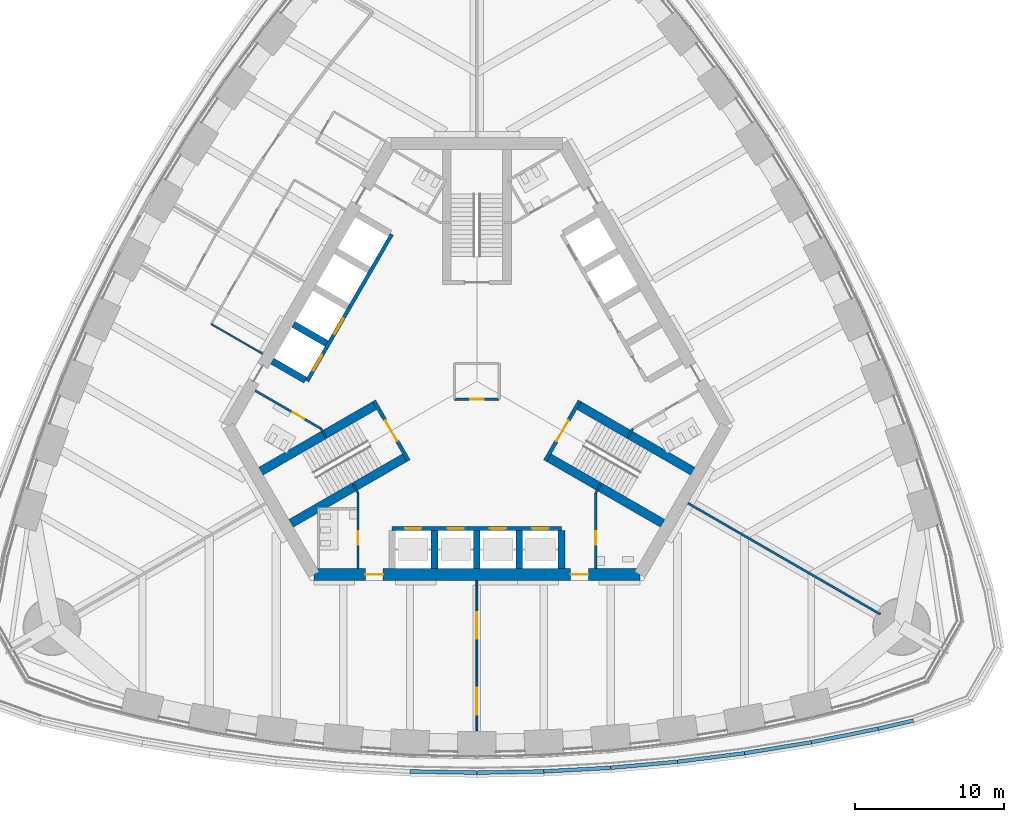
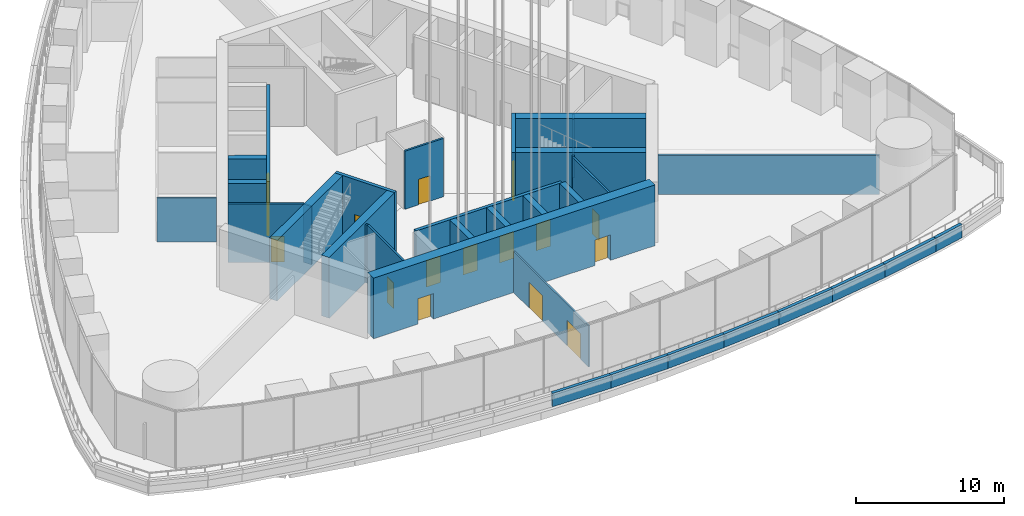
# One storey, part 13 of 31: 34 walls, 16 doors, 16 openings.
"""IFC4 building model written with IfcOpenShell, lengths in metres."""

from ifc_helpers import new_model, si_unit, direction, frame, frame_2d, origin, place, context, subcontext, project, spatial, rectangle, extrude, material, layer, layer_set, type_object, element, fill, save


model = new_model("IFC4")

# Units and contexts
model_context = context("Model", 3, precision=1e-05, world=origin(), true_north=direction((0.0, 1.0)))
body_context = subcontext(model_context, "Body", "Model", "MODEL_VIEW")
ifc_project = project(units=[si_unit("LENGTHUNIT", "METRE"), si_unit("AREAUNIT", "SQUARE_METRE"), si_unit("VOLUMEUNIT", "CUBIC_METRE"), si_unit("PLANEANGLEUNIT", "RADIAN"), si_unit("MASSUNIT", "GRAM", prefix="KILO")], contexts=[model_context])

# Site, building, storey
site_placement = place(None, origin())
site = spatial("IfcSite", under=ifc_project, at=site_placement, CompositionType="ELEMENT")
building_placement = place(site_placement, origin())
building = spatial("IfcBuilding", under=site, at=building_placement, Name="Trefoil Bronze Tower", CompositionType="ELEMENT")
storey_placement = place(building_placement, frame((0.0, 0.0, 184.699951171875)))
storey = spatial("IfcBuildingStorey", under=building, at=storey_placement, Name="L42", CompositionType="ELEMENT", Elevation=184.699951171875)

# Wall, openings, doors
ifc_material_1 = material(Name="Concrete B80", Category="concrete")
ifc_layer_1 = layer(ifc_material_1, 0.800048828125)
ifc_layer_set_1 = layer_set([ifc_layer_1], Name="Core wall 800")
wall_type_1 = type_object("IfcWallType", Name="Core wall 800", PredefinedType="SHEAR", material=ifc_layer_set_1)
wall_1_placement = place(storey_placement, frame((-10.9697265625, -13.0, 0.0), z_axis=(0.0, 0.0, 1.0), x_axis=(1.0, 0.0, 0.0)))
wall_1 = element("IfcWall", 1, at=wall_1_placement, inside=storey, type_object=wall_type_1, Name="Core long wall 1 L42", PredefinedType="SHEAR", context=body_context, shape_type="SweptSolid", body=[
    extrude(rectangle(XDim=21.939453125, YDim=0.800048828125, at=frame_2d((10.9697265625, 0.0))), origin(), (0.0, 0.0, 1.0), 5.0),
])
opening_1_placement = place(wall_1_placement, frame((17.269775390625, 0.0, 0.0)))
opening_1 = element("IfcOpeningElement", 2, at=opening_1_placement, cuts=wall_1, Name="Opening D2", PredefinedType="OPENING", context=body_context, shape_type="SweptSolid", body=[
    extrude(rectangle(XDim=1.199951171875, YDim=2.10009765625, at=frame_2d((0.60009765625, 1.050048828125))), frame((0.0, 0.409912109375, 0.0), z_axis=(0.0, -1.0, 0.0), x_axis=(1.0, 0.0, 0.0)), (0.0, 0.0, 1.0), 0.820068359375),
])
opening_2_placement = place(wall_1_placement, frame((3.4697265625, 0.0, 0.0)))
opening_2 = element("IfcOpeningElement", 3, at=opening_2_placement, cuts=wall_1, Name="Opening D2", PredefinedType="OPENING", context=body_context, shape_type="SweptSolid", body=[
    extrude(rectangle(XDim=1.199951171875, YDim=2.10009765625, at=frame_2d((0.60009765625, 1.050048828125))), frame((0.0, 0.409912109375, 0.0), z_axis=(0.0, -1.0, 0.0), x_axis=(1.0, 0.0, 0.0)), (0.0, 0.0, 1.0), 0.820068359375),
])
ifc_material_2 = material(Name="Steel door", Category="steel")
door_type_1 = type_object("IfcDoorType", Name="Lobby door 1200", OperationType="SINGLE_SWING_RIGHT", PredefinedType="DOOR", material=ifc_material_2)
door_1_placement = place(opening_1_placement, origin())
door_1 = element("IfcDoor", 4, at=door_1_placement, inside=storey, type_object=door_type_1, Name="Lobby door F1+ L42", OperationType="SINGLE_SWING_RIGHT", OverallHeight=2.10009765625, OverallWidth=1.199951171875, PredefinedType="DOOR", context=body_context, shape_type="SweptSolid", body=[
    extrude(rectangle(XDim=1.199951171875, YDim=2.10009765625, at=frame_2d((0.60009765625, 1.050048828125))), frame((0.0, 0.02490234375, 0.0), z_axis=(0.0, -1.0, 0.0), x_axis=(1.0, 0.0, 0.0)), (0.0, 0.0, 1.0), 0.050048828125),
])
fill(opening_1, door_1)
door_2_placement = place(opening_2_placement, origin())
door_2 = element("IfcDoor", 5, at=door_2_placement, inside=storey, type_object=door_type_1, Name="Lobby door F1- L42", OperationType="SINGLE_SWING_LEFT", OverallHeight=2.10009765625, OverallWidth=1.199951171875, PredefinedType="DOOR", context=body_context, shape_type="SweptSolid", body=[
    extrude(rectangle(XDim=1.199951171875, YDim=2.10009765625, at=frame_2d((0.60009765625, 1.050048828125))), frame((0.0, 0.02490234375, 0.0), z_axis=(0.0, -1.0, 0.0), x_axis=(1.0, 0.0, 0.0)), (0.0, 0.0, 1.0), 0.050048828125),
])
fill(opening_2, door_2)

ifc_material_3 = material(Name="Glazed partition", Category="glass")
ifc_layer_2 = layer(ifc_material_3, 0.1201171875)
ifc_layer_set_2 = layer_set([ifc_layer_2], Name="Glazed partition 120")
wall_type_2 = type_object("IfcWallType", Name="Glazed partition 120", PredefinedType="PARTITIONING", material=ifc_layer_set_2)
wall_2_placement = place(storey_placement, frame((0.0, -13.419921875, 0.0), z_axis=(0.0, 0.0, 1.0), x_axis=(0.0, -1.0, 0.0)))
wall_2 = element("IfcWall", 6, at=wall_2_placement, inside=storey, type_object=wall_type_2, Name="Partition F1 L42", PredefinedType="PARTITIONING", context=body_context, shape_type="SweptSolid", body=[
    extrude(rectangle(XDim=10.100830078125, YDim=0.1201171875, at=frame_2d((5.05029296875, 0.0))), origin(), (0.0, 0.0, 1.0), 3.400146484375),
])
opening_3_placement = place(wall_2_placement, frame((2.10009765625, 0.0, 0.0)))
opening_3 = element("IfcOpeningElement", 7, at=opening_3_placement, cuts=wall_2, Name="Opening D10", PredefinedType="OPENING", context=body_context, shape_type="SweptSolid", body=[
    extrude(rectangle(XDim=1.800048828125, YDim=2.10009765625, at=frame_2d((0.89990234375, 1.050048828125))), frame((0.0, 0.070068359375, 0.0), z_axis=(0.0, -1.0, 0.0), x_axis=(1.0, 0.0, 0.0)), (0.0, 0.0, 1.0), 0.14013671875),
])
opening_4_placement = place(wall_2_placement, frame((7.199951171875, 0.0, 0.0)))
opening_4 = element("IfcOpeningElement", 8, at=opening_4_placement, cuts=wall_2, Name="Opening D10", PredefinedType="OPENING", context=body_context, shape_type="SweptSolid", body=[
    extrude(rectangle(XDim=1.800048828125, YDim=2.10009765625, at=frame_2d((0.89990234375, 1.050048828125))), frame((0.0, 0.070068359375, 0.0), z_axis=(0.0, -1.0, 0.0), x_axis=(1.0, 0.0, 0.0)), (0.0, 0.0, 1.0), 0.14013671875),
])
ifc_material_4 = material(Name="Timber door", Category="wood")
door_type_2 = type_object("IfcDoorType", Name="Double door 1800", OperationType="DOUBLE_DOOR_SINGLE_SWING", PredefinedType="DOOR", material=ifc_material_4)
door_3_placement = place(opening_3_placement, origin())
door_3 = element("IfcDoor", 9, at=door_3_placement, inside=storey, type_object=door_type_2, Name="Winter garden cafe door F1 L42", OperationType="DOUBLE_DOOR_SINGLE_SWING", OverallHeight=2.10009765625, OverallWidth=1.800048828125, PredefinedType="DOOR", context=body_context, shape_type="SweptSolid", body=[
    extrude(rectangle(XDim=1.800048828125, YDim=2.10009765625, at=frame_2d((0.89990234375, 1.050048828125))), frame((0.0, 0.02490234375, 0.0), z_axis=(0.0, -1.0, 0.0), x_axis=(1.0, 0.0, 0.0)), (0.0, 0.0, 1.0), 0.050048828125),
])
fill(opening_3, door_3)
door_4_placement = place(opening_4_placement, origin())
door_4 = element("IfcDoor", 10, at=door_4_placement, inside=storey, type_object=door_type_2, Name="Winter garden cafe door F1 L42", OperationType="DOUBLE_DOOR_SINGLE_SWING", OverallHeight=2.10009765625, OverallWidth=1.800048828125, PredefinedType="DOOR", context=body_context, shape_type="SweptSolid", body=[
    extrude(rectangle(XDim=1.800048828125, YDim=2.10009765625, at=frame_2d((0.89990234375, 1.050048828125))), frame((0.0, 0.02490234375, 0.0), z_axis=(0.0, -1.0, 0.0), x_axis=(1.0, 0.0, 0.0)), (0.0, 0.0, 1.0), 0.050048828125),
])
fill(opening_4, door_4)

# Walls
wall_3_placement = place(storey_placement, frame((-14.40478515625, 1.850341796875, 0.0), z_axis=(0.0, 0.0, 1.0), x_axis=(-0.866026010844, 0.49999894854, 0.0)))
element("IfcWall", 11, at=wall_3_placement, inside=storey, type_object=wall_type_2, Name="Partition F3 L42", PredefinedType="PARTITIONING", context=body_context, shape_type="SweptSolid", body=[
    extrude(rectangle(XDim=4.0, YDim=0.1201171875, at=frame_2d((2.0, 0.0))), origin(), (0.0, 0.0, 1.0), 3.60009765625),
])
ifc_material_5 = material(Name="Concrete B80", Category="concrete")
ifc_layer_3 = layer(ifc_material_5, 0.449951171875)
ifc_layer_set_3 = layer_set([ifc_layer_3], Name="Outrigger shaft wall 450")
wall_type_3 = type_object("IfcWallType", Name="Outrigger shaft wall 450", PredefinedType="SHEAR", material=ifc_layer_set_3)
for number, where, z_axis, x_axis, name in (
    (12, (-2.85009765625, -10.02490234375, 0.0), (0.0, 0.0, 1.0), (0.0, -1.0, 0.0), "Lift shaft side wall A1 L42"),
    (13, (0.0, -10.02490234375, 0.0), (0.0, 0.0, 1.0), (0.0, -1.0, 0.0), "Lift shaft side wall A2 L42"),
    (14, (2.85009765625, -10.02490234375, 0.0), (0.0, 0.0, 1.0), (0.0, -1.0, 0.0), "Lift shaft side wall A3 L42"),
    (15, (5.699951171875, -10.02490234375, 0.0), (0.0, 0.0, 1.0), (0.0, -1.0, 0.0), "Lift shaft side wall A4 L42"),
):
    element("IfcWall", number, at=place(storey_placement, frame(where, z_axis=z_axis, x_axis=x_axis)), inside=storey, type_object=wall_type_3, Name=name, PredefinedType="SHEAR", context=body_context, shape_type="SweptSolid", body=[
        extrude(rectangle(XDim=2.5751953125, YDim=0.449951171875, at=frame_2d((1.28759765625, 0.0))), origin(), (0.0, 0.0, 1.0), 5.0),
    ])
for number, where, z_axis, x_axis, name in (
    (16, (-10.10693359375, 2.54443359375, 0.0), (0.0, 0.0, 1.0), (-0.866046643894, 0.499963209246, 0.0), "Lift shaft side wall C3 L42"),
    (17, (-11.531982421875, 0.076171875, 0.0), (0.0, 0.0, 1.0), (-0.866005588531, 0.500034319456, 0.0), "Lift shaft side wall C4 L42"),
):
    element("IfcWall", number, at=place(storey_placement, frame(where, z_axis=z_axis, x_axis=x_axis)), inside=storey, type_object=wall_type_3, Name=name, PredefinedType="SHEAR", context=body_context, shape_type="SweptSolid", body=[
        extrude(rectangle(XDim=2.574951171875, YDim=0.449951171875, at=frame_2d((1.28759765625, 0.0))), origin(), (0.0, 0.0, 1.0), 5.0),
    ])
ifc_material_6 = material(Name="Concrete B80", Category="concrete")
ifc_layer_4 = layer(ifc_material_6, 0.25)
ifc_layer_set_4 = layer_set([ifc_layer_4], Name="Parapet 250")
wall_type_4 = type_object("IfcWallType", Name="Parapet 250", PredefinedType="PARAPET", material=ifc_layer_set_4)
for number, where, z_axis, x_axis, name in (
    (18, (-4.5, -26.24365234375, 0.0), (0.0, 0.0, 1.0), (0.999837820638, -0.018009231578, 0.0), "Parapet L42.7"),
    (19, (0.0, -26.32470703125, 0.0), (0.0, 0.0, 1.0), (0.999837820638, 0.018009231578, 0.0), "Parapet L42.8"),
):
    element("IfcWall", number, at=place(storey_placement, frame(where, z_axis=z_axis, x_axis=x_axis)), inside=storey, type_object=wall_type_4, Name=name, PredefinedType="PARAPET", context=body_context, shape_type="SweptSolid", body=[
        extrude(rectangle(XDim=4.500732421875, YDim=0.25, at=frame_2d((2.25048828125, 0.0))), origin(), (0.0, 0.0, 1.0), 1.10009765625),
    ])
wall_4_placement = place(storey_placement, frame((4.5, -26.24365234375, 0.0), z_axis=(0.0, 0.0, 1.0), x_axis=(0.998537376538, 0.054065771581, 0.0)))
element("IfcWall", 20, at=wall_4_placement, inside=storey, type_object=wall_type_4, Name="Parapet L42.9", PredefinedType="PARAPET", context=body_context, shape_type="SweptSolid", body=[
    extrude(rectangle(XDim=4.506591796875, YDim=0.25, at=frame_2d((2.25341796875, 0.0))), origin(), (0.0, 0.0, 1.0), 1.10009765625),
])
wall_5_placement = place(storey_placement, frame((9.0, -26.0, 0.0), z_axis=(0.0, 0.0, 1.0), x_axis=(0.995930325215, 0.090126507295, 0.0)))
element("IfcWall", 21, at=wall_5_placement, inside=storey, type_object=wall_type_4, Name="Parapet L42.10", PredefinedType="PARAPET", context=body_context, shape_type="SweptSolid", body=[
    extrude(rectangle(XDim=4.518310546875, YDim=0.25, at=frame_2d((2.25927734375, 0.0))), origin(), (0.0, 0.0, 1.0), 1.10009765625),
])
wall_6_placement = place(storey_placement, frame((13.5, -25.5927734375, 0.0), z_axis=(0.0, 0.0, 1.0), x_axis=(0.992010652594, 0.12615413247, 0.0)))
element("IfcWall", 22, at=wall_6_placement, inside=storey, type_object=wall_type_4, Name="Parapet L42.11", PredefinedType="PARAPET", context=body_context, shape_type="SweptSolid", body=[
    extrude(rectangle(XDim=4.5361328125, YDim=0.25, at=frame_2d((2.26806640625, 0.0))), origin(), (0.0, 0.0, 1.0), 1.10009765625),
])
wall_7_placement = place(storey_placement, frame((18.0, -25.0205078125, 0.0), z_axis=(0.0, 0.0, 1.0), x_axis=(0.986764681833, 0.162158757664, 0.0)))
element("IfcWall", 23, at=wall_7_placement, inside=storey, type_object=wall_type_4, Name="Parapet L42.12", PredefinedType="PARAPET", context=body_context, shape_type="SweptSolid", body=[
    extrude(rectangle(XDim=4.560302734375, YDim=0.25, at=frame_2d((2.2802734375, 0.0))), origin(), (0.0, 0.0, 1.0), 1.10009765625),
])
wall_8_placement = place(storey_placement, frame((22.5, -24.281005859375, 0.0), z_axis=(0.0, 0.0, 1.0), x_axis=(0.980152955069, 0.198242741781, 0.0)))
element("IfcWall", 24, at=wall_8_placement, inside=storey, type_object=wall_type_4, Name="Parapet L42.13", PredefinedType="PARAPET", context=body_context, shape_type="SweptSolid", body=[
    extrude(rectangle(XDim=4.591064453125, YDim=0.25, at=frame_2d((2.29541015625, 0.0))), origin(), (0.0, 0.0, 1.0), 1.10009765625),
])
wall_9_placement = place(storey_placement, frame((27.0, -23.370849609375, 0.0), z_axis=(0.0, 0.0, 1.0), x_axis=(0.974203832844, 0.225669874089, 0.0)))
element("IfcWall", 25, at=wall_9_placement, inside=storey, type_object=wall_type_4, Name="Parapet L42.14", PredefinedType="PARAPET", context=body_context, shape_type="SweptSolid", body=[
    extrude(rectangle(XDim=2.420166015625, YDim=0.25, at=frame_2d((1.2099609375, 0.0))), origin(), (0.0, 0.0, 1.0), 1.10009765625),
])

# Wall, opening, door
ifc_material_7 = material(Name="Gypsum board on steel studs", Category="steel")
ifc_layer_5 = layer(ifc_material_7, 0.14990234375)
ifc_layer_set_5 = layer_set([ifc_layer_5], Name="Partition 150")
wall_type_5 = type_object("IfcWallType", Name="Partition 150", PredefinedType="PARTITIONING", material=ifc_layer_set_5)
wall_10_placement = place(storey_placement, frame((8.0, -7.5, 0.0), z_axis=(0.0, 0.0, 1.0), x_axis=(0.0, -1.0, 0.0)))
wall_10 = element("IfcWall", 26, at=wall_10_placement, inside=storey, type_object=wall_type_5, Name="Passage wall F1+ L42", PredefinedType="PARTITIONING", context=body_context, shape_type="SweptSolid", body=[
    extrude(rectangle(XDim=5.10009765625, YDim=0.14990234375, at=frame_2d((2.550048828125, 0.0))), origin(), (0.0, 0.0, 1.0), 4.800048828125),
])
opening_5_placement = place(wall_10_placement, frame((2.60009765625, 0.0, 0.0)))
opening_5 = element("IfcOpeningElement", 27, at=opening_5_placement, cuts=wall_10, Name="Opening D3", PredefinedType="OPENING", context=body_context, shape_type="SweptSolid", body=[
    extrude(rectangle(XDim=0.89990234375, YDim=2.10009765625, at=frame_2d((0.449951171875, 1.050048828125))), frame((0.0, 0.0849609375, 0.0), z_axis=(0.0, -1.0, 0.0), x_axis=(1.0, 0.0, 0.0)), (0.0, 0.0, 1.0), 0.169921875),
])
ifc_material_8 = material(Name="Timber door", Category="wood")
door_type_3 = type_object("IfcDoorType", Name="WC door 900", OperationType="SINGLE_SWING_LEFT", PredefinedType="DOOR", material=ifc_material_8)
door_5_placement = place(opening_5_placement, origin())
door_5 = element("IfcDoor", 28, at=door_5_placement, inside=storey, type_object=door_type_3, Name="Accessible WC door L42", OperationType="SINGLE_SWING_RIGHT", OverallHeight=2.10009765625, OverallWidth=0.89990234375, PredefinedType="DOOR", context=body_context, shape_type="SweptSolid", body=[
    extrude(rectangle(XDim=0.89990234375, YDim=2.10009765625, at=frame_2d((0.449951171875, 1.050048828125))), frame((0.0, 0.02490234375, 0.0), z_axis=(0.0, -1.0, 0.0), x_axis=(1.0, 0.0, 0.0)), (0.0, 0.0, 1.0), 0.050048828125),
])
fill(opening_5, door_5)

wall_11_placement = place(storey_placement, frame((-8.0, -7.5, 0.0), z_axis=(0.0, 0.0, 1.0), x_axis=(0.0, -1.0, 0.0)))
wall_11 = element("IfcWall", 29, at=wall_11_placement, inside=storey, type_object=wall_type_5, Name="Passage wall F1- L42", PredefinedType="PARTITIONING", context=body_context, shape_type="SweptSolid", body=[
    extrude(rectangle(XDim=5.10009765625, YDim=0.14990234375, at=frame_2d((2.550048828125, 0.0))), origin(), (0.0, 0.0, 1.0), 4.800048828125),
])
opening_6_placement = place(wall_11_placement, frame((2.60009765625, 0.0, 0.0)))
opening_6 = element("IfcOpeningElement", 30, at=opening_6_placement, cuts=wall_11, Name="Opening D3", PredefinedType="OPENING", context=body_context, shape_type="SweptSolid", body=[
    extrude(rectangle(XDim=0.89990234375, YDim=2.10009765625, at=frame_2d((0.449951171875, 1.050048828125))), frame((0.0, 0.0849609375, 0.0), z_axis=(0.0, -1.0, 0.0), x_axis=(1.0, 0.0, 0.0)), (0.0, 0.0, 1.0), 0.169921875),
])
door_6_placement = place(opening_6_placement, frame((0.89990234375, 0.0, 0.0), z_axis=(0.0, 0.0, 1.0), x_axis=(-1.0, 0.0, 0.0)))
door_6 = element("IfcDoor", 31, at=door_6_placement, inside=storey, type_object=door_type_3, Name="WC (women) door L42", OperationType="SINGLE_SWING_RIGHT", OverallHeight=2.10009765625, OverallWidth=0.89990234375, PredefinedType="DOOR", context=body_context, shape_type="SweptSolid", body=[
    extrude(rectangle(XDim=0.89990234375, YDim=2.10009765625, at=frame_2d((0.449951171875, 1.050048828125))), frame((0.0, 0.02490234375, 0.0), z_axis=(0.0, -1.0, 0.0), x_axis=(1.0, 0.0, 0.0)), (0.0, 0.0, 1.0), 0.050048828125),
])
fill(opening_6, door_6)

wall_12_placement = place(storey_placement, frame((-10.4951171875, -3.17822265625, 0.0), z_axis=(0.0, 0.0, 1.0), x_axis=(-0.86602216432, 0.500005610874, 0.0)))
wall_12 = element("IfcWall", 32, at=wall_12_placement, inside=storey, type_object=wall_type_5, Name="Passage wall F3+ L42", PredefinedType="PARTITIONING", context=body_context, shape_type="SweptSolid", body=[
    extrude(rectangle(XDim=5.10009765625, YDim=0.14990234375, at=frame_2d((2.550048828125, 0.0))), origin(), (0.0, 0.0, 1.0), 4.800048828125),
])
opening_7_placement = place(wall_12_placement, frame((1.300048828125, 0.0, 0.0)))
opening_7 = element("IfcOpeningElement", 33, at=opening_7_placement, cuts=wall_12, Name="Opening D3", PredefinedType="OPENING", context=body_context, shape_type="SweptSolid", body=[
    extrude(rectangle(XDim=0.89990234375, YDim=2.10009765625, at=frame_2d((0.449951171875, 1.050048828125))), frame((0.0, 0.0849609375, 0.0), z_axis=(0.0, -1.0, 0.0), x_axis=(1.0, 0.0, 0.0)), (0.0, 0.0, 1.0), 0.169921875),
])
door_7_placement = place(opening_7_placement, origin())
door_7 = element("IfcDoor", 34, at=door_7_placement, inside=storey, type_object=door_type_3, Name="WC (men) door L42", OperationType="SINGLE_SWING_LEFT", OverallHeight=2.10009765625, OverallWidth=0.89990234375, PredefinedType="DOOR", context=body_context, shape_type="SweptSolid", body=[
    extrude(rectangle(XDim=0.89990234375, YDim=2.10009765625, at=frame_2d((0.449951171875, 1.050048828125))), frame((0.0, 0.02490234375, 0.0), z_axis=(0.0, -1.0, 0.0), x_axis=(1.0, 0.0, 0.0)), (0.0, 0.0, 1.0), 0.050048828125),
])
fill(opening_7, door_7)

# Walls
for number, where, z_axis, x_axis, name in (
    (35, (8.0, -7.5, 0.0), (0.0, 0.0, 1.0), (0.499842556608, 0.866116284689, 0.0), "WC wall ST1-1 L42"),
    (36, (10.4951171875, -3.17822265625, 0.0), (0.0, 0.0, 1.0), (-0.499842556608, -0.866116284689, 0.0), "WC wall ST1+1 L42"),
    (37, (-10.4951171875, -3.17822265625, 0.0), (0.0, 0.0, 1.0), (0.499842556608, -0.866116284689, 0.0), "WC wall ST3-1 L42"),
    (38, (-8.0, -7.5, 0.0), (0.0, 0.0, 1.0), (-0.499842556608, 0.866116284689, 0.0), "WC wall ST3+1 L42"),
):
    element("IfcWall", number, at=place(storey_placement, frame(where, z_axis=z_axis, x_axis=x_axis)), inside=storey, type_object=wall_type_5, Name=name, PredefinedType="PARTITIONING", context=body_context, shape_type="SweptSolid", body=[
        extrude(rectangle(XDim=0.645263671875, YDim=0.14990234375, at=frame_2d((0.32275390625, 0.0))), origin(), (0.0, 0.0, 1.0), 4.800048828125),
    ])
ifc_material_9 = material(Name="Gypsum board on steel studs", Category="steel")
ifc_layer_6 = layer(ifc_material_9, 0.14990234375)
ifc_layer_set_6 = layer_set([ifc_layer_6], Name="Party wall 150")
wall_type_6 = type_object("IfcWallType", Name="Party wall 150", PredefinedType="PARTITIONING", material=ifc_layer_set_6)
wall_13_placement = place(storey_placement, frame((14.202880859375, -8.199951171875, 0.0), z_axis=(0.0, 0.0, 1.0), x_axis=(0.866021600284, -0.500006587798, 0.0)))
element("IfcWall", 39, at=wall_13_placement, inside=storey, type_object=wall_type_6, Name="Party wall K1 L42", PredefinedType="PARTITIONING", context=body_context, shape_type="SweptSolid", body=[
    extrude(rectangle(XDim=14.949951171875, YDim=0.14990234375, at=frame_2d((7.47509765625, 0.0))), origin(), (0.0, 0.0, 1.0), 3.199951171875),
])

# Wall, opening, door
ifc_material_10 = material(Name="Gypsum board on steel studs", Category="steel")
ifc_layer_7 = layer(ifc_material_10, 0.14990234375)
ifc_layer_set_7 = layer_set([ifc_layer_7], Name="Riser wall 150")
wall_type_7 = type_object("IfcWallType", Name="Riser wall 150", PredefinedType="PARTITIONING", material=ifc_layer_set_7)
wall_14_placement = place(storey_placement, frame((-1.5, -1.199951171875, 0.0), z_axis=(0.0, 0.0, 1.0), x_axis=(1.0, 0.0, 0.0)))
wall_14 = element("IfcWall", 40, at=wall_14_placement, inside=storey, type_object=wall_type_7, Name="Riser wall L42", PredefinedType="PARTITIONING", context=body_context, shape_type="SweptSolid", body=[
    extrude(rectangle(XDim=3.0, YDim=0.14990234375, at=frame_2d((1.5, 0.0))), origin(), (0.0, 0.0, 1.0), 4.800048828125),
])
opening_8_placement = place(wall_14_placement, frame((1.050048828125, 0.0, 0.0)))
opening_8 = element("IfcOpeningElement", 41, at=opening_8_placement, cuts=wall_14, Name="Opening D4", PredefinedType="OPENING", context=body_context, shape_type="SweptSolid", body=[
    extrude(rectangle(XDim=0.89990234375, YDim=2.10009765625, at=frame_2d((0.449951171875, 1.050048828125))), frame((0.0, 0.0849609375, 0.0), z_axis=(0.0, -1.0, 0.0), x_axis=(1.0, 0.0, 0.0)), (0.0, 0.0, 1.0), 0.169921875),
])
ifc_material_11 = material(Name="Steel door", Category="steel")
door_type_4 = type_object("IfcDoorType", Name="Riser door 900", OperationType="SINGLE_SWING_LEFT", PredefinedType="DOOR", material=ifc_material_11)
door_8_placement = place(opening_8_placement, frame((0.89990234375, 0.0, 0.0), z_axis=(0.0, 0.0, 1.0), x_axis=(-1.0, 0.0, 0.0)))
door_8 = element("IfcDoor", 42, at=door_8_placement, inside=storey, type_object=door_type_4, Name="Riser door L42", OperationType="SINGLE_SWING_LEFT", OverallHeight=2.10009765625, OverallWidth=0.89990234375, PredefinedType="DOOR", context=body_context, shape_type="SweptSolid", body=[
    extrude(rectangle(XDim=0.89990234375, YDim=2.10009765625, at=frame_2d((0.449951171875, 1.050048828125))), frame((0.0, 0.02490234375, 0.0), z_axis=(0.0, -1.0, 0.0), x_axis=(1.0, 0.0, 0.0)), (0.0, 0.0, 1.0), 0.050048828125),
])
fill(opening_8, door_8)

# Wall, openings, doors
ifc_material_12 = material(Name="Concrete B80", Category="concrete")
ifc_layer_8 = layer(ifc_material_12, 0.25)
ifc_layer_set_8 = layer_set([ifc_layer_8], Name="Shaft wall 250")
wall_type_8 = type_object("IfcWallType", Name="Shaft wall 250", PredefinedType="SHEAR", material=ifc_layer_set_8)
wall_15_placement = place(storey_placement, frame((-5.699951171875, -9.89990234375, 0.0), z_axis=(0.0, 0.0, 1.0), x_axis=(1.0, 0.0, 0.0)))
wall_15 = element("IfcWall", 43, at=wall_15_placement, inside=storey, type_object=wall_type_8, Name="Lift shaft front wall A L42", PredefinedType="SHEAR", context=body_context, shape_type="SweptSolid", body=[
    extrude(rectangle(XDim=11.39990234375, YDim=0.25, at=frame_2d((5.699951171875, 0.0))), origin(), (0.0, 0.0, 1.0), 5.0),
])
opening_9_placement = place(wall_15_placement, frame((0.875, 0.0, 0.0)))
opening_9 = element("IfcOpeningElement", 44, at=opening_9_placement, cuts=wall_15, Name="Opening LD-P31", PredefinedType="OPENING", context=body_context, shape_type="SweptSolid", body=[
    extrude(rectangle(XDim=1.10009765625, YDim=2.199951171875, at=frame_2d((0.550048828125, 1.10009765625))), frame((0.0, 0.135009765625, 0.0), z_axis=(0.0, -1.0, 0.0), x_axis=(1.0, 0.0, 0.0)), (0.0, 0.0, 1.0), 0.27001953125),
])
opening_10_placement = place(wall_15_placement, frame((3.72509765625, 0.0, 0.0)))
opening_10 = element("IfcOpeningElement", 45, at=opening_10_placement, cuts=wall_15, Name="Opening LD-P32", PredefinedType="OPENING", context=body_context, shape_type="SweptSolid", body=[
    extrude(rectangle(XDim=1.10009765625, YDim=2.199951171875, at=frame_2d((0.550048828125, 1.10009765625))), frame((0.0, 0.135009765625, 0.0), z_axis=(0.0, -1.0, 0.0), x_axis=(1.0, 0.0, 0.0)), (0.0, 0.0, 1.0), 0.27001953125),
])
opening_11_placement = place(wall_15_placement, frame((6.574951171875, 0.0, 0.0)))
opening_11 = element("IfcOpeningElement", 46, at=opening_11_placement, cuts=wall_15, Name="Opening LD-P33", PredefinedType="OPENING", context=body_context, shape_type="SweptSolid", body=[
    extrude(rectangle(XDim=1.10009765625, YDim=2.199951171875, at=frame_2d((0.550048828125, 1.10009765625))), frame((0.0, 0.135009765625, 0.0), z_axis=(0.0, -1.0, 0.0), x_axis=(1.0, 0.0, 0.0)), (0.0, 0.0, 1.0), 0.27001953125),
])
opening_12_placement = place(wall_15_placement, frame((9.425048828125, 0.0, 0.0)))
opening_12 = element("IfcOpeningElement", 47, at=opening_12_placement, cuts=wall_15, Name="Opening LD-P34", PredefinedType="OPENING", context=body_context, shape_type="SweptSolid", body=[
    extrude(rectangle(XDim=1.10009765625, YDim=2.199951171875, at=frame_2d((0.550048828125, 1.10009765625))), frame((0.0, 0.135009765625, 0.0), z_axis=(0.0, -1.0, 0.0), x_axis=(1.0, 0.0, 0.0)), (0.0, 0.0, 1.0), 0.27001953125),
])
ifc_material_13 = material(Name="Steel door", Category="steel")
door_type_5 = type_object("IfcDoorType", Name="Lift landing door 1100", OperationType="DOUBLE_DOOR_SLIDING", PredefinedType="DOOR", material=ifc_material_13)
door_9_placement = place(opening_9_placement, origin())
door_9 = element("IfcDoor", 48, at=door_9_placement, inside=storey, type_object=door_type_5, Name="Lift P31 landing door L42", OperationType="DOUBLE_DOOR_SLIDING", OverallHeight=2.199951171875, OverallWidth=1.10009765625, PredefinedType="DOOR", context=body_context, shape_type="SweptSolid", body=[
    extrude(rectangle(XDim=1.10009765625, YDim=2.199951171875, at=frame_2d((0.550048828125, 1.10009765625))), frame((0.0, 0.02490234375, 0.0), z_axis=(0.0, -1.0, 0.0), x_axis=(1.0, 0.0, 0.0)), (0.0, 0.0, 1.0), 0.050048828125),
])
fill(opening_9, door_9)
door_10_placement = place(opening_10_placement, origin())
door_10 = element("IfcDoor", 49, at=door_10_placement, inside=storey, type_object=door_type_5, Name="Lift P32 landing door L42", OperationType="DOUBLE_DOOR_SLIDING", OverallHeight=2.199951171875, OverallWidth=1.10009765625, PredefinedType="DOOR", context=body_context, shape_type="SweptSolid", body=[
    extrude(rectangle(XDim=1.10009765625, YDim=2.199951171875, at=frame_2d((0.550048828125, 1.10009765625))), frame((0.0, 0.02490234375, 0.0), z_axis=(0.0, -1.0, 0.0), x_axis=(1.0, 0.0, 0.0)), (0.0, 0.0, 1.0), 0.050048828125),
])
fill(opening_10, door_10)
door_11_placement = place(opening_11_placement, origin())
door_11 = element("IfcDoor", 50, at=door_11_placement, inside=storey, type_object=door_type_5, Name="Lift P33 landing door L42", OperationType="DOUBLE_DOOR_SLIDING", OverallHeight=2.199951171875, OverallWidth=1.10009765625, PredefinedType="DOOR", context=body_context, shape_type="SweptSolid", body=[
    extrude(rectangle(XDim=1.10009765625, YDim=2.199951171875, at=frame_2d((0.550048828125, 1.10009765625))), frame((0.0, 0.02490234375, 0.0), z_axis=(0.0, -1.0, 0.0), x_axis=(1.0, 0.0, 0.0)), (0.0, 0.0, 1.0), 0.050048828125),
])
fill(opening_11, door_11)
door_12_placement = place(opening_12_placement, origin())
door_12 = element("IfcDoor", 51, at=door_12_placement, inside=storey, type_object=door_type_5, Name="Lift P34 landing door L42", OperationType="DOUBLE_DOOR_SLIDING", OverallHeight=2.199951171875, OverallWidth=1.10009765625, PredefinedType="DOOR", context=body_context, shape_type="SweptSolid", body=[
    extrude(rectangle(XDim=1.10009765625, YDim=2.199951171875, at=frame_2d((0.550048828125, 1.10009765625))), frame((0.0, 0.02490234375, 0.0), z_axis=(0.0, -1.0, 0.0), x_axis=(1.0, 0.0, 0.0)), (0.0, 0.0, 1.0), 0.050048828125),
])
fill(opening_12, door_12)

wall_16_placement = place(storey_placement, frame((-5.7236328125, 9.88623046875, 0.0), z_axis=(0.0, 0.0, 1.0), x_axis=(-0.500001763848, -0.866024385424, 0.0)))
wall_16 = element("IfcWall", 52, at=wall_16_placement, inside=storey, type_object=wall_type_8, Name="Lift shaft front wall C L42", PredefinedType="SHEAR", context=body_context, shape_type="SweptSolid", body=[
    extrude(rectangle(XDim=11.39990234375, YDim=0.25, at=frame_2d((5.699951171875, 0.0))), origin(), (0.0, 0.0, 1.0), 5.0),
])
opening_13_placement = place(wall_16_placement, frame((6.52490234375, 0.0, 0.0)))
opening_13 = element("IfcOpeningElement", 53, at=opening_13_placement, cuts=wall_16, Name="Opening LD-FL1", PredefinedType="OPENING", context=body_context, shape_type="SweptSolid", body=[
    extrude(rectangle(XDim=1.199951171875, YDim=2.199951171875, at=frame_2d((0.60009765625, 1.10009765625))), frame((0.0, 0.135009765625, 0.0), z_axis=(0.0, -1.0, 0.0), x_axis=(1.0, 0.0, 0.0)), (0.0, 0.0, 1.0), 0.27001953125),
])
opening_14_placement = place(wall_16_placement, frame((9.375, 0.0, 0.0)))
opening_14 = element("IfcOpeningElement", 54, at=opening_14_placement, cuts=wall_16, Name="Opening LD-FL2", PredefinedType="OPENING", context=body_context, shape_type="SweptSolid", body=[
    extrude(rectangle(XDim=1.199951171875, YDim=2.199951171875, at=frame_2d((0.60009765625, 1.10009765625))), frame((0.0, 0.135009765625, 0.0), z_axis=(0.0, -1.0, 0.0), x_axis=(1.0, 0.0, 0.0)), (0.0, 0.0, 1.0), 0.27001953125),
])
ifc_material_14 = material(Name="Steel door", Category="steel")
door_type_6 = type_object("IfcDoorType", Name="Lift landing door 1200", OperationType="DOUBLE_DOOR_SLIDING", PredefinedType="DOOR", material=ifc_material_14)
door_13_placement = place(opening_13_placement, origin())
door_13 = element("IfcDoor", 55, at=door_13_placement, inside=storey, type_object=door_type_6, Name="Lift FL1 landing door L42", OperationType="DOUBLE_DOOR_SLIDING", OverallHeight=2.199951171875, OverallWidth=1.199951171875, PredefinedType="DOOR", context=body_context, shape_type="SweptSolid", body=[
    extrude(rectangle(XDim=1.199951171875, YDim=2.199951171875, at=frame_2d((0.60009765625, 1.10009765625))), frame((0.0, 0.02490234375, 0.0), z_axis=(0.0, -1.0, 0.0), x_axis=(1.0, 0.0, 0.0)), (0.0, 0.0, 1.0), 0.050048828125),
])
fill(opening_13, door_13)
door_14_placement = place(opening_14_placement, origin())
door_14 = element("IfcDoor", 56, at=door_14_placement, inside=storey, type_object=door_type_6, Name="Lift FL2 landing door L42", OperationType="DOUBLE_DOOR_SLIDING", OverallHeight=2.199951171875, OverallWidth=1.199951171875, PredefinedType="DOOR", context=body_context, shape_type="SweptSolid", body=[
    extrude(rectangle(XDim=1.199951171875, YDim=2.199951171875, at=frame_2d((0.60009765625, 1.10009765625))), frame((0.0, 0.02490234375, 0.0), z_axis=(0.0, -1.0, 0.0), x_axis=(1.0, 0.0, 0.0)), (0.0, 0.0, 1.0), 0.050048828125),
])
fill(opening_14, door_14)

# Wall, opening, door
wall_17_placement = place(storey_placement, frame((4.5966796875, -5.338623046875, 0.0), z_axis=(0.0, 0.0, 1.0), x_axis=(0.499984536904, 0.866034331223, 0.0)))
wall_17 = element("IfcWall", 57, at=wall_17_placement, inside=storey, type_object=wall_type_8, Name="Stair end wall ST1 L42", PredefinedType="SHEAR", context=body_context, shape_type="SweptSolid", body=[
    extrude(rectangle(XDim=4.650146484375, YDim=0.25, at=frame_2d((2.3251953125, 0.0))), origin(), (0.0, 0.0, 1.0), 5.0),
])
opening_15_placement = place(wall_17_placement, frame((1.52490234375, 0.0, 0.0)))
opening_15 = element("IfcOpeningElement", 58, at=opening_15_placement, cuts=wall_17, Name="Opening D1", PredefinedType="OPENING", context=body_context, shape_type="SweptSolid", body=[
    extrude(rectangle(XDim=1.60009765625, YDim=2.10009765625, at=frame_2d((0.800048828125, 1.050048828125))), frame((0.0, 0.135009765625, 0.0), z_axis=(0.0, -1.0, 0.0), x_axis=(1.0, 0.0, 0.0)), (0.0, 0.0, 1.0), 0.27001953125),
])
ifc_material_15 = material(Name="Steel door", Category="steel")
door_type_7 = type_object("IfcDoorType", Name="Stair door 1600", OperationType="DOUBLE_DOOR_SINGLE_SWING", PredefinedType="DOOR", material=ifc_material_15)
door_15_placement = place(opening_15_placement, frame((1.60009765625, 0.0, 0.0), z_axis=(0.0, 0.0, 1.0), x_axis=(-1.0, 0.0, 0.0)))
door_15 = element("IfcDoor", 59, at=door_15_placement, inside=storey, type_object=door_type_7, Name="Stair door ST1 L42", OperationType="DOUBLE_DOOR_SINGLE_SWING", OverallHeight=2.10009765625, OverallWidth=1.60009765625, PredefinedType="DOOR", context=body_context, shape_type="SweptSolid", body=[
    extrude(rectangle(XDim=1.60009765625, YDim=2.10009765625, at=frame_2d((0.800048828125, 1.050048828125))), frame((0.0, 0.02490234375, 0.0), z_axis=(0.0, -1.0, 0.0), x_axis=(1.0, 0.0, 0.0)), (0.0, 0.0, 1.0), 0.050048828125),
])
fill(opening_15, door_15)

wall_18_placement = place(storey_placement, frame((-6.921630859375, -1.3115234375, 0.0), z_axis=(0.0, 0.0, 1.0), x_axis=(0.499984536904, -0.866034331223, 0.0)))
wall_18 = element("IfcWall", 60, at=wall_18_placement, inside=storey, type_object=wall_type_8, Name="Stair end wall ST3 L42", PredefinedType="SHEAR", context=body_context, shape_type="SweptSolid", body=[
    extrude(rectangle(XDim=4.650146484375, YDim=0.25, at=frame_2d((2.3251953125, 0.0))), origin(), (0.0, 0.0, 1.0), 5.0),
])
opening_16_placement = place(wall_18_placement, frame((1.52490234375, 0.0, 0.0)))
opening_16 = element("IfcOpeningElement", 61, at=opening_16_placement, cuts=wall_18, Name="Opening D1", PredefinedType="OPENING", context=body_context, shape_type="SweptSolid", body=[
    extrude(rectangle(XDim=1.60009765625, YDim=2.10009765625, at=frame_2d((0.800048828125, 1.050048828125))), frame((0.0, 0.135009765625, 0.0), z_axis=(0.0, -1.0, 0.0), x_axis=(1.0, 0.0, 0.0)), (0.0, 0.0, 1.0), 0.27001953125),
])
door_16_placement = place(opening_16_placement, frame((1.60009765625, 0.0, 0.0), z_axis=(0.0, 0.0, 1.0), x_axis=(-1.0, 0.0, 0.0)))
door_16 = element("IfcDoor", 62, at=door_16_placement, inside=storey, type_object=door_type_7, Name="Stair door ST3 L42", OperationType="DOUBLE_DOOR_SINGLE_SWING", OverallHeight=2.10009765625, OverallWidth=1.60009765625, PredefinedType="DOOR", context=body_context, shape_type="SweptSolid", body=[
    extrude(rectangle(XDim=1.60009765625, YDim=2.10009765625, at=frame_2d((0.800048828125, 1.050048828125))), frame((0.0, 0.02490234375, 0.0), z_axis=(0.0, -1.0, 0.0), x_axis=(1.0, 0.0, 0.0)), (0.0, 0.0, 1.0), 0.050048828125),
])
fill(opening_16, door_16)

# Walls
ifc_material_16 = material(Name="Concrete B80", Category="concrete")
ifc_layer_9 = layer(ifc_material_16, 0.60009765625)
ifc_layer_set_9 = layer_set([ifc_layer_9], Name="Stair wall 600")
wall_type_9 = type_object("IfcWallType", Name="Stair wall 600", PredefinedType="SHEAR", material=ifc_layer_set_9)
for number, where, z_axis, x_axis, name in (
    (63, (4.638427734375, -5.01611328125, 0.0), (0.0, 0.0, 1.0), (0.866019375473, -0.500010441196, 0.0), "Stair wall ST1 L42"),
    (64, (6.663330078125, -1.5087890625, 0.0), (0.0, 0.0, 1.0), (0.866019375473, -0.500010441196, 0.0), "Stair wall ST1 L42"),
    (65, (-6.663330078125, -1.5087890625, 0.0), (0.0, 0.0, 1.0), (-0.866019375473, -0.500010441196, 0.0), "Stair wall ST3 L42"),
    (66, (-4.638427734375, -5.01611328125, 0.0), (0.0, 0.0, 1.0), (-0.866019375473, -0.500010441196, 0.0), "Stair wall ST3 L42"),
):
    element("IfcWall", number, at=place(storey_placement, frame(where, z_axis=z_axis, x_axis=x_axis)), inside=storey, type_object=wall_type_9, Name=name, PredefinedType="SHEAR", context=body_context, shape_type="SweptSolid", body=[
        extrude(rectangle(XDim=9.074951171875, YDim=0.60009765625, at=frame_2d((4.53759765625, 0.0))), origin(), (0.0, 0.0, 1.0), 5.0),
    ])

save(model, "model.ifc")
